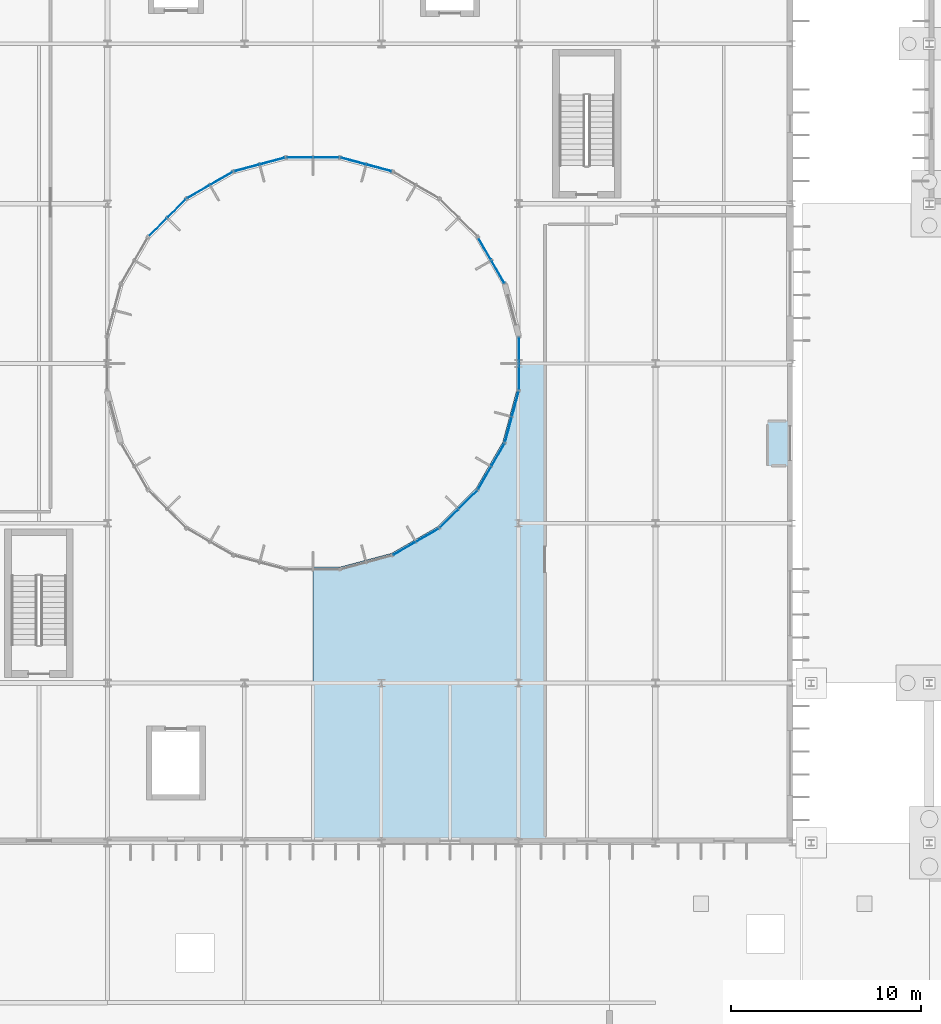
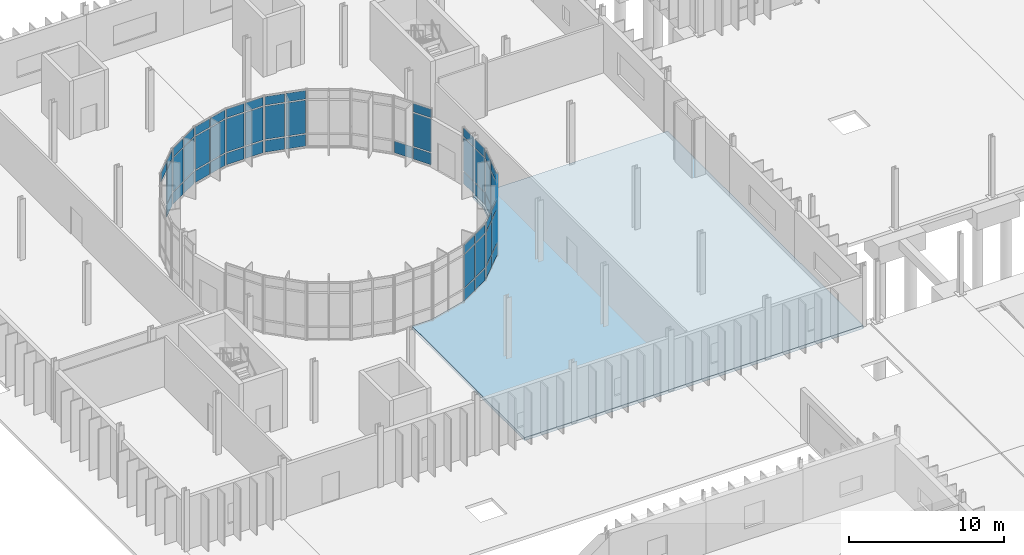
# One storey, part 60 of 118: 62 plates, 1 slab, 11 elements without a shape of their own.
"""IFC4 building model written with IfcOpenShell, lengths in metres."""

from ifc_helpers import new_model, si_unit, direction, frame, origin, origin_2d, place, context, subcontext, project, spatial, polyline, rectangle, outline, extrude, material, layer, layer_set, type_object, element, aggregate, save


model = new_model("IFC4")

# Units and contexts
model_context = context("Model", 3, precision=1e-05, world=origin(), true_north=direction((0.0, 1.0)))
body_context = subcontext(model_context, "Body", "Model", "MODEL_VIEW")
ifc_project = project(units=[si_unit("LENGTHUNIT", "METRE"), si_unit("AREAUNIT", "SQUARE_METRE"), si_unit("VOLUMEUNIT", "CUBIC_METRE"), si_unit("PLANEANGLEUNIT", "RADIAN"), si_unit("MASSUNIT", "GRAM", prefix="KILO")], contexts=[model_context])

# Site, building, storey
site_placement = place(None, origin())
site = spatial("IfcSite", under=ifc_project, at=site_placement, CompositionType="ELEMENT")
building_placement = place(site_placement, origin())
building = spatial("IfcBuilding", under=site, at=building_placement, Name="Qelthora Terrace Specialist Clinic", CompositionType="ELEMENT")
storey_placement = place(building_placement, origin())
storey = spatial("IfcBuildingStorey", under=building, at=storey_placement, Name="L00", CompositionType="ELEMENT", Elevation=0.0)

# Curtain wall, plates
ifc_material_1 = material(Name="Aluminium anodized bronze", Category="aluminium")
curtain_wall_type = type_object("IfcCurtainWallType", Name="CW-CRTW-L00", PredefinedType="NOTDEFINED", material=ifc_material_1)
curtain_wall_1_placement = place(storey_placement, origin())
curtain_wall_1 = element("IfcCurtainWall", 1, at=curtain_wall_1_placement, inside=storey, type_object=curtain_wall_type, Name="Curtain wall CW-CW-L00-02", PredefinedType="NOTDEFINED")
ifc_material_2 = material(Name="Low-E triple-silver insulating glass", Category="glass")
ifc_layer_1 = layer(ifc_material_2, 0.035888671875)
ifc_layer_set_1 = layer_set([ifc_layer_1], Name="Low-E triple-silver insulating glass")
plate_type = type_object("IfcPlateType", Name="CWP-IGU-36", PredefinedType="CURTAIN_PANEL", material=ifc_layer_set_1)
plate_1_placement = place(storey_placement, frame((34.929443359375, 88.803466796875, 0.0849609375), z_axis=(0.0, 0.0, 1.0), x_axis=(-0.5, 0.866025403784, 0.0)))
plate_1 = element("IfcPlate", 2, at=plate_1_placement, type_object=plate_type, Name="CW-CW-L00-02 glazed panel 1", PredefinedType="CURTAIN_PANEL", context=body_context, shape_type="SweptSolid", body=[
    extrude(rectangle(XDim=1.3095703125, YDim=0.035888671875, at=origin_2d()), origin(), (0.0, 0.0, 1.0), 0.919921875),
])
plate_2_placement = place(storey_placement, frame((34.929443359375, 88.803466796875, 1.094970703125), z_axis=(0.0, 0.0, 1.0), x_axis=(-0.5, 0.866025403784, 0.0)))
plate_2 = element("IfcPlate", 3, at=plate_2_placement, type_object=plate_type, Name="CW-CW-L00-02 glazed panel 2", PredefinedType="CURTAIN_PANEL", context=body_context, shape_type="SweptSolid", body=[
    extrude(rectangle(XDim=1.3095703125, YDim=0.035888671875, at=origin_2d()), origin(), (0.0, 0.0, 1.0), 2.60498046875),
])
plate_3_placement = place(storey_placement, frame((34.929443359375, 88.803466796875, 3.7900390625), z_axis=(0.0, 0.0, 1.0), x_axis=(-0.5, 0.866025403784, 0.0)))
plate_3 = element("IfcPlate", 4, at=plate_3_placement, type_object=plate_type, Name="CW-CW-L00-02 glazed panel 3", PredefinedType="CURTAIN_PANEL", context=body_context, shape_type="SweptSolid", body=[
    extrude(rectangle(XDim=1.3095703125, YDim=0.035888671875, at=origin_2d()), origin(), (0.0, 0.0, 1.0), 0.669921875),
])
plate_4_placement = place(storey_placement, frame((34.224609375, 90.024169921875, 0.0849609375), z_axis=(0.0, 0.0, 1.0), x_axis=(-0.5, 0.866025403784, 0.0)))
plate_4 = element("IfcPlate", 5, at=plate_4_placement, type_object=plate_type, Name="CW-CW-L00-02 glazed panel 4", PredefinedType="CURTAIN_PANEL", context=body_context, shape_type="SweptSolid", body=[
    extrude(rectangle(XDim=1.3095703125, YDim=0.035888671875, at=origin_2d()), origin(), (0.0, 0.0, 1.0), 0.919921875),
])
aggregate(curtain_wall_1, [plate_1, plate_2, plate_3, plate_4])

curtain_wall_2_placement = place(storey_placement, origin())
curtain_wall_2 = element("IfcCurtainWall", 6, at=curtain_wall_2_placement, inside=storey, type_object=curtain_wall_type, Name="Curtain wall CW-CW-L00-05", PredefinedType="NOTDEFINED")
plate_5_placement = place(storey_placement, frame((28.68310546875, 94.276123046875, 0.0849609375), z_axis=(0.0, 0.0, 1.0), x_axis=(-0.965925374563, 0.258820730961, 0.0)))
plate_5 = element("IfcPlate", 7, at=plate_5_placement, type_object=plate_type, Name="CW-CW-L00-05 glazed panel 1", PredefinedType="CURTAIN_PANEL", context=body_context, shape_type="SweptSolid", body=[
    extrude(rectangle(XDim=1.3095703125, YDim=0.035888671875, at=origin_2d()), origin(), (0.0, 0.0, 1.0), 0.919921875),
])
plate_6_placement = place(storey_placement, frame((28.68310546875, 94.276123046875, 1.094970703125), z_axis=(0.0, 0.0, 1.0), x_axis=(-0.965925374563, 0.258820730961, 0.0)))
plate_6 = element("IfcPlate", 8, at=plate_6_placement, type_object=plate_type, Name="CW-CW-L00-05 glazed panel 2", PredefinedType="CURTAIN_PANEL", context=body_context, shape_type="SweptSolid", body=[
    extrude(rectangle(XDim=1.3095703125, YDim=0.035888671875, at=origin_2d()), origin(), (0.0, 0.0, 1.0), 2.60498046875),
])
plate_7_placement = place(storey_placement, frame((28.68310546875, 94.276123046875, 3.7900390625), z_axis=(0.0, 0.0, 1.0), x_axis=(-0.965925374563, 0.258820730961, 0.0)))
plate_7 = element("IfcPlate", 9, at=plate_7_placement, type_object=plate_type, Name="CW-CW-L00-05 glazed panel 3", PredefinedType="CURTAIN_PANEL", context=body_context, shape_type="SweptSolid", body=[
    extrude(rectangle(XDim=1.3095703125, YDim=0.035888671875, at=origin_2d()), origin(), (0.0, 0.0, 1.0), 0.669921875),
])
plate_8_placement = place(storey_placement, frame((27.321533203125, 94.64111328125, 0.0849609375), z_axis=(0.0, 0.0, 1.0), x_axis=(-0.965925374563, 0.258820730961, 0.0)))
plate_8 = element("IfcPlate", 10, at=plate_8_placement, type_object=plate_type, Name="CW-CW-L00-05 glazed panel 4", PredefinedType="CURTAIN_PANEL", context=body_context, shape_type="SweptSolid", body=[
    extrude(rectangle(XDim=1.3095703125, YDim=0.035888671875, at=origin_2d()), origin(), (0.0, 0.0, 1.0), 0.919921875),
])
plate_9_placement = place(storey_placement, frame((27.321533203125, 94.64111328125, 1.094970703125), z_axis=(0.0, 0.0, 1.0), x_axis=(-0.965925374563, 0.258820730961, 0.0)))
plate_9 = element("IfcPlate", 11, at=plate_9_placement, type_object=plate_type, Name="CW-CW-L00-05 glazed panel 5", PredefinedType="CURTAIN_PANEL", context=body_context, shape_type="SweptSolid", body=[
    extrude(rectangle(XDim=1.3095703125, YDim=0.035888671875, at=origin_2d()), origin(), (0.0, 0.0, 1.0), 2.60498046875),
])
plate_10_placement = place(storey_placement, frame((27.321533203125, 94.64111328125, 3.7900390625), z_axis=(0.0, 0.0, 1.0), x_axis=(-0.965925374563, 0.258820730961, 0.0)))
plate_10 = element("IfcPlate", 12, at=plate_10_placement, type_object=plate_type, Name="CW-CW-L00-05 glazed panel 6", PredefinedType="CURTAIN_PANEL", context=body_context, shape_type="SweptSolid", body=[
    extrude(rectangle(XDim=1.3095703125, YDim=0.035888671875, at=origin_2d()), origin(), (0.0, 0.0, 1.0), 0.669921875),
])
aggregate(curtain_wall_2, [plate_5, plate_6, plate_7, plate_8, plate_9, plate_10])

curtain_wall_3_placement = place(storey_placement, origin())
curtain_wall_3 = element("IfcCurtainWall", 13, at=curtain_wall_3_placement, inside=storey, type_object=curtain_wall_type, Name="Curtain wall CW-CW-L00-06", PredefinedType="NOTDEFINED")
plate_11_placement = place(storey_placement, frame((25.90478515625, 94.82763671875, 0.0849609375), z_axis=(0.0, 0.0, 1.0), x_axis=(-1.0, 0.0, 0.0)))
plate_11 = element("IfcPlate", 14, at=plate_11_placement, type_object=plate_type, Name="CW-CW-L00-06 glazed panel 1", PredefinedType="CURTAIN_PANEL", context=body_context, shape_type="SweptSolid", body=[
    extrude(rectangle(XDim=1.3095703125, YDim=0.035888671875, at=origin_2d()), origin(), (0.0, 0.0, 1.0), 0.919921875),
])
plate_12_placement = place(storey_placement, frame((25.90478515625, 94.82763671875, 1.094970703125), z_axis=(0.0, 0.0, 1.0), x_axis=(-1.0, 0.0, 0.0)))
plate_12 = element("IfcPlate", 15, at=plate_12_placement, type_object=plate_type, Name="CW-CW-L00-06 glazed panel 2", PredefinedType="CURTAIN_PANEL", context=body_context, shape_type="SweptSolid", body=[
    extrude(rectangle(XDim=1.3095703125, YDim=0.035888671875, at=origin_2d()), origin(), (0.0, 0.0, 1.0), 2.60498046875),
])
plate_13_placement = place(storey_placement, frame((25.90478515625, 94.82763671875, 3.7900390625), z_axis=(0.0, 0.0, 1.0), x_axis=(-1.0, 0.0, 0.0)))
plate_13 = element("IfcPlate", 16, at=plate_13_placement, type_object=plate_type, Name="CW-CW-L00-06 glazed panel 3", PredefinedType="CURTAIN_PANEL", context=body_context, shape_type="SweptSolid", body=[
    extrude(rectangle(XDim=1.3095703125, YDim=0.035888671875, at=origin_2d()), origin(), (0.0, 0.0, 1.0), 0.669921875),
])
plate_14_placement = place(storey_placement, frame((24.4951171875, 94.82763671875, 0.0849609375), z_axis=(0.0, 0.0, 1.0), x_axis=(-1.0, 0.0, 0.0)))
plate_14 = element("IfcPlate", 17, at=plate_14_placement, type_object=plate_type, Name="CW-CW-L00-06 glazed panel 4", PredefinedType="CURTAIN_PANEL", context=body_context, shape_type="SweptSolid", body=[
    extrude(rectangle(XDim=1.3095703125, YDim=0.035888671875, at=origin_2d()), origin(), (0.0, 0.0, 1.0), 0.919921875),
])
plate_15_placement = place(storey_placement, frame((24.4951171875, 94.82763671875, 1.094970703125), z_axis=(0.0, 0.0, 1.0), x_axis=(-1.0, 0.0, 0.0)))
plate_15 = element("IfcPlate", 18, at=plate_15_placement, type_object=plate_type, Name="CW-CW-L00-06 glazed panel 5", PredefinedType="CURTAIN_PANEL", context=body_context, shape_type="SweptSolid", body=[
    extrude(rectangle(XDim=1.3095703125, YDim=0.035888671875, at=origin_2d()), origin(), (0.0, 0.0, 1.0), 2.60498046875),
])
plate_16_placement = place(storey_placement, frame((24.4951171875, 94.82763671875, 3.7900390625), z_axis=(0.0, 0.0, 1.0), x_axis=(-1.0, 0.0, 0.0)))
plate_16 = element("IfcPlate", 19, at=plate_16_placement, type_object=plate_type, Name="CW-CW-L00-06 glazed panel 6", PredefinedType="CURTAIN_PANEL", context=body_context, shape_type="SweptSolid", body=[
    extrude(rectangle(XDim=1.3095703125, YDim=0.035888671875, at=origin_2d()), origin(), (0.0, 0.0, 1.0), 0.669921875),
])
aggregate(curtain_wall_3, [plate_11, plate_12, plate_13, plate_14, plate_15, plate_16])

curtain_wall_4_placement = place(storey_placement, origin())
curtain_wall_4 = element("IfcCurtainWall", 20, at=curtain_wall_4_placement, inside=storey, type_object=curtain_wall_type, Name="Curtain wall CW-CW-L00-07", PredefinedType="NOTDEFINED")
plate_17_placement = place(storey_placement, frame((23.078369140625, 94.64111328125, 0.0849609375), z_axis=(0.0, 0.0, 1.0), x_axis=(-0.965925374563, -0.258820730961, 0.0)))
plate_17 = element("IfcPlate", 21, at=plate_17_placement, type_object=plate_type, Name="CW-CW-L00-07 glazed panel 1", PredefinedType="CURTAIN_PANEL", context=body_context, shape_type="SweptSolid", body=[
    extrude(rectangle(XDim=1.3095703125, YDim=0.035888671875, at=origin_2d()), origin(), (0.0, 0.0, 1.0), 0.919921875),
])
plate_18_placement = place(storey_placement, frame((23.078369140625, 94.64111328125, 1.094970703125), z_axis=(0.0, 0.0, 1.0), x_axis=(-0.965925374563, -0.258820730961, 0.0)))
plate_18 = element("IfcPlate", 22, at=plate_18_placement, type_object=plate_type, Name="CW-CW-L00-07 glazed panel 2", PredefinedType="CURTAIN_PANEL", context=body_context, shape_type="SweptSolid", body=[
    extrude(rectangle(XDim=1.3095703125, YDim=0.035888671875, at=origin_2d()), origin(), (0.0, 0.0, 1.0), 2.60498046875),
])
plate_19_placement = place(storey_placement, frame((23.078369140625, 94.64111328125, 3.7900390625), z_axis=(0.0, 0.0, 1.0), x_axis=(-0.965925374563, -0.258820730961, 0.0)))
plate_19 = element("IfcPlate", 23, at=plate_19_placement, type_object=plate_type, Name="CW-CW-L00-07 glazed panel 3", PredefinedType="CURTAIN_PANEL", context=body_context, shape_type="SweptSolid", body=[
    extrude(rectangle(XDim=1.3095703125, YDim=0.035888671875, at=origin_2d()), origin(), (0.0, 0.0, 1.0), 0.669921875),
])
plate_20_placement = place(storey_placement, frame((21.716796875, 94.276123046875, 0.0849609375), z_axis=(0.0, 0.0, 1.0), x_axis=(-0.965925374563, -0.258820730961, 0.0)))
plate_20 = element("IfcPlate", 24, at=plate_20_placement, type_object=plate_type, Name="CW-CW-L00-07 glazed panel 4", PredefinedType="CURTAIN_PANEL", context=body_context, shape_type="SweptSolid", body=[
    extrude(rectangle(XDim=1.3095703125, YDim=0.035888671875, at=origin_2d()), origin(), (0.0, 0.0, 1.0), 0.919921875),
])
plate_21_placement = place(storey_placement, frame((21.716796875, 94.276123046875, 1.094970703125), z_axis=(0.0, 0.0, 1.0), x_axis=(-0.965925374563, -0.258820730961, 0.0)))
plate_21 = element("IfcPlate", 25, at=plate_21_placement, type_object=plate_type, Name="CW-CW-L00-07 glazed panel 5", PredefinedType="CURTAIN_PANEL", context=body_context, shape_type="SweptSolid", body=[
    extrude(rectangle(XDim=1.3095703125, YDim=0.035888671875, at=origin_2d()), origin(), (0.0, 0.0, 1.0), 2.60498046875),
])
plate_22_placement = place(storey_placement, frame((21.716796875, 94.276123046875, 3.7900390625), z_axis=(0.0, 0.0, 1.0), x_axis=(-0.965925374563, -0.258820730961, 0.0)))
plate_22 = element("IfcPlate", 26, at=plate_22_placement, type_object=plate_type, Name="CW-CW-L00-07 glazed panel 6", PredefinedType="CURTAIN_PANEL", context=body_context, shape_type="SweptSolid", body=[
    extrude(rectangle(XDim=1.3095703125, YDim=0.035888671875, at=origin_2d()), origin(), (0.0, 0.0, 1.0), 0.669921875),
])
aggregate(curtain_wall_4, [plate_17, plate_18, plate_19, plate_20, plate_21, plate_22])

curtain_wall_5_placement = place(storey_placement, origin())
curtain_wall_5 = element("IfcCurtainWall", 27, at=curtain_wall_5_placement, inside=storey, type_object=curtain_wall_type, Name="Curtain wall CW-CW-L00-08", PredefinedType="NOTDEFINED")
plate_23_placement = place(storey_placement, frame((20.396728515625, 93.7294921875, 0.0849609375), z_axis=(0.0, 0.0, 1.0), x_axis=(-0.866025403784, -0.5, 0.0)))
plate_23 = element("IfcPlate", 28, at=plate_23_placement, type_object=plate_type, Name="CW-CW-L00-08 glazed panel 1", PredefinedType="CURTAIN_PANEL", context=body_context, shape_type="SweptSolid", body=[
    extrude(rectangle(XDim=1.3095703125, YDim=0.035888671875, at=origin_2d()), origin(), (0.0, 0.0, 1.0), 0.919921875),
])
plate_24_placement = place(storey_placement, frame((20.396728515625, 93.7294921875, 1.094970703125), z_axis=(0.0, 0.0, 1.0), x_axis=(-0.866025403784, -0.5, 0.0)))
plate_24 = element("IfcPlate", 29, at=plate_24_placement, type_object=plate_type, Name="CW-CW-L00-08 glazed panel 2", PredefinedType="CURTAIN_PANEL", context=body_context, shape_type="SweptSolid", body=[
    extrude(rectangle(XDim=1.3095703125, YDim=0.035888671875, at=origin_2d()), origin(), (0.0, 0.0, 1.0), 2.60498046875),
])
plate_25_placement = place(storey_placement, frame((20.396728515625, 93.7294921875, 3.7900390625), z_axis=(0.0, 0.0, 1.0), x_axis=(-0.866025403784, -0.5, 0.0)))
plate_25 = element("IfcPlate", 30, at=plate_25_placement, type_object=plate_type, Name="CW-CW-L00-08 glazed panel 3", PredefinedType="CURTAIN_PANEL", context=body_context, shape_type="SweptSolid", body=[
    extrude(rectangle(XDim=1.3095703125, YDim=0.035888671875, at=origin_2d()), origin(), (0.0, 0.0, 1.0), 0.669921875),
])
plate_26_placement = place(storey_placement, frame((19.17578125, 93.024658203125, 0.0849609375), z_axis=(0.0, 0.0, 1.0), x_axis=(-0.866025403784, -0.5, 0.0)))
plate_26 = element("IfcPlate", 31, at=plate_26_placement, type_object=plate_type, Name="CW-CW-L00-08 glazed panel 4", PredefinedType="CURTAIN_PANEL", context=body_context, shape_type="SweptSolid", body=[
    extrude(rectangle(XDim=1.3095703125, YDim=0.035888671875, at=origin_2d()), origin(), (0.0, 0.0, 1.0), 0.919921875),
])
plate_27_placement = place(storey_placement, frame((19.17578125, 93.024658203125, 1.094970703125), z_axis=(0.0, 0.0, 1.0), x_axis=(-0.866025403784, -0.5, 0.0)))
plate_27 = element("IfcPlate", 32, at=plate_27_placement, type_object=plate_type, Name="CW-CW-L00-08 glazed panel 5", PredefinedType="CURTAIN_PANEL", context=body_context, shape_type="SweptSolid", body=[
    extrude(rectangle(XDim=1.3095703125, YDim=0.035888671875, at=origin_2d()), origin(), (0.0, 0.0, 1.0), 2.60498046875),
])
plate_28_placement = place(storey_placement, frame((19.17578125, 93.024658203125, 3.7900390625), z_axis=(0.0, 0.0, 1.0), x_axis=(-0.866025403784, -0.5, 0.0)))
plate_28 = element("IfcPlate", 33, at=plate_28_placement, type_object=plate_type, Name="CW-CW-L00-08 glazed panel 6", PredefinedType="CURTAIN_PANEL", context=body_context, shape_type="SweptSolid", body=[
    extrude(rectangle(XDim=1.3095703125, YDim=0.035888671875, at=origin_2d()), origin(), (0.0, 0.0, 1.0), 0.669921875),
])
aggregate(curtain_wall_5, [plate_23, plate_24, plate_25, plate_26, plate_27, plate_28])

curtain_wall_6_placement = place(storey_placement, origin())
curtain_wall_6 = element("IfcCurtainWall", 34, at=curtain_wall_6_placement, inside=storey, type_object=curtain_wall_type, Name="Curtain wall CW-CW-L00-09", PredefinedType="NOTDEFINED")
plate_29_placement = place(storey_placement, frame((18.042236328125, 92.15478515625, 0.0849609375), z_axis=(0.0, 0.0, 1.0), x_axis=(-0.707106781187, -0.707106781187, 0.0)))
plate_29 = element("IfcPlate", 35, at=plate_29_placement, type_object=plate_type, Name="CW-CW-L00-09 glazed panel 1", PredefinedType="CURTAIN_PANEL", context=body_context, shape_type="SweptSolid", body=[
    extrude(rectangle(XDim=1.3095703125, YDim=0.035888671875, at=origin_2d()), origin(), (0.0, 0.0, 1.0), 0.919921875),
])
plate_30_placement = place(storey_placement, frame((18.042236328125, 92.15478515625, 1.094970703125), z_axis=(0.0, 0.0, 1.0), x_axis=(-0.707106781187, -0.707106781187, 0.0)))
plate_30 = element("IfcPlate", 36, at=plate_30_placement, type_object=plate_type, Name="CW-CW-L00-09 glazed panel 2", PredefinedType="CURTAIN_PANEL", context=body_context, shape_type="SweptSolid", body=[
    extrude(rectangle(XDim=1.3095703125, YDim=0.035888671875, at=origin_2d()), origin(), (0.0, 0.0, 1.0), 2.60498046875),
])
plate_31_placement = place(storey_placement, frame((18.042236328125, 92.15478515625, 3.7900390625), z_axis=(0.0, 0.0, 1.0), x_axis=(-0.707106781187, -0.707106781187, 0.0)))
plate_31 = element("IfcPlate", 37, at=plate_31_placement, type_object=plate_type, Name="CW-CW-L00-09 glazed panel 3", PredefinedType="CURTAIN_PANEL", context=body_context, shape_type="SweptSolid", body=[
    extrude(rectangle(XDim=1.3095703125, YDim=0.035888671875, at=origin_2d()), origin(), (0.0, 0.0, 1.0), 0.669921875),
])
plate_32_placement = place(storey_placement, frame((17.04541015625, 91.157958984375, 3.7900390625), z_axis=(0.0, 0.0, 1.0), x_axis=(-0.707106781187, -0.707106781187, 0.0)))
plate_32 = element("IfcPlate", 38, at=plate_32_placement, type_object=plate_type, Name="CW-CW-L00-09 glazed panel 6", PredefinedType="CURTAIN_PANEL", context=body_context, shape_type="SweptSolid", body=[
    extrude(rectangle(XDim=1.3095703125, YDim=0.035888671875, at=origin_2d()), origin(), (0.0, 0.0, 1.0), 0.669921875),
])
aggregate(curtain_wall_6, [plate_29, plate_30, plate_31, plate_32])

curtain_wall_7_placement = place(storey_placement, origin())
curtain_wall_7 = element("IfcCurtainWall", 39, at=curtain_wall_7_placement, inside=storey, type_object=curtain_wall_type, Name="Curtain wall CW-CW-L00-20", PredefinedType="NOTDEFINED")
plate_33_placement = place(storey_placement, frame((30.00341796875, 74.2705078125, 0.0849609375), z_axis=(0.0, 0.0, 1.0), x_axis=(0.866025403784, 0.5, 0.0)))
plate_33 = element("IfcPlate", 40, at=plate_33_placement, type_object=plate_type, Name="CW-CW-L00-20 glazed panel 1", PredefinedType="CURTAIN_PANEL", context=body_context, shape_type="SweptSolid", body=[
    extrude(rectangle(XDim=1.3095703125, YDim=0.035888671875, at=origin_2d()), origin(), (0.0, 0.0, 1.0), 0.919921875),
])
plate_34_placement = place(storey_placement, frame((30.00341796875, 74.2705078125, 1.094970703125), z_axis=(0.0, 0.0, 1.0), x_axis=(0.866025403784, 0.5, 0.0)))
plate_34 = element("IfcPlate", 41, at=plate_34_placement, type_object=plate_type, Name="CW-CW-L00-20 glazed panel 2", PredefinedType="CURTAIN_PANEL", context=body_context, shape_type="SweptSolid", body=[
    extrude(rectangle(XDim=1.3095703125, YDim=0.035888671875, at=origin_2d()), origin(), (0.0, 0.0, 1.0), 2.60498046875),
])
plate_35_placement = place(storey_placement, frame((30.00341796875, 74.2705078125, 3.7900390625), z_axis=(0.0, 0.0, 1.0), x_axis=(0.866025403784, 0.5, 0.0)))
plate_35 = element("IfcPlate", 42, at=plate_35_placement, type_object=plate_type, Name="CW-CW-L00-20 glazed panel 3", PredefinedType="CURTAIN_PANEL", context=body_context, shape_type="SweptSolid", body=[
    extrude(rectangle(XDim=1.3095703125, YDim=0.035888671875, at=origin_2d()), origin(), (0.0, 0.0, 1.0), 0.669921875),
])
plate_36_placement = place(storey_placement, frame((31.22412109375, 74.975341796875, 0.0849609375), z_axis=(0.0, 0.0, 1.0), x_axis=(0.866025403784, 0.5, 0.0)))
plate_36 = element("IfcPlate", 43, at=plate_36_placement, type_object=plate_type, Name="CW-CW-L00-20 glazed panel 4", PredefinedType="CURTAIN_PANEL", context=body_context, shape_type="SweptSolid", body=[
    extrude(rectangle(XDim=1.3095703125, YDim=0.035888671875, at=origin_2d()), origin(), (0.0, 0.0, 1.0), 0.919921875),
])
plate_37_placement = place(storey_placement, frame((31.22412109375, 74.975341796875, 1.094970703125), z_axis=(0.0, 0.0, 1.0), x_axis=(0.866025403784, 0.5, 0.0)))
plate_37 = element("IfcPlate", 44, at=plate_37_placement, type_object=plate_type, Name="CW-CW-L00-20 glazed panel 5", PredefinedType="CURTAIN_PANEL", context=body_context, shape_type="SweptSolid", body=[
    extrude(rectangle(XDim=1.3095703125, YDim=0.035888671875, at=origin_2d()), origin(), (0.0, 0.0, 1.0), 2.60498046875),
])
plate_38_placement = place(storey_placement, frame((31.22412109375, 74.975341796875, 3.7900390625), z_axis=(0.0, 0.0, 1.0), x_axis=(0.866025403784, 0.5, 0.0)))
plate_38 = element("IfcPlate", 45, at=plate_38_placement, type_object=plate_type, Name="CW-CW-L00-20 glazed panel 6", PredefinedType="CURTAIN_PANEL", context=body_context, shape_type="SweptSolid", body=[
    extrude(rectangle(XDim=1.3095703125, YDim=0.035888671875, at=origin_2d()), origin(), (0.0, 0.0, 1.0), 0.669921875),
])
aggregate(curtain_wall_7, [plate_33, plate_34, plate_35, plate_36, plate_37, plate_38])

curtain_wall_8_placement = place(storey_placement, origin())
curtain_wall_8 = element("IfcCurtainWall", 46, at=curtain_wall_8_placement, inside=storey, type_object=curtain_wall_type, Name="Curtain wall CW-CW-L00-21", PredefinedType="NOTDEFINED")
plate_39_placement = place(storey_placement, frame((32.35791015625, 75.84521484375, 0.0849609375), z_axis=(0.0, 0.0, 1.0), x_axis=(0.707106781187, 0.707106781187, 0.0)))
plate_39 = element("IfcPlate", 47, at=plate_39_placement, type_object=plate_type, Name="CW-CW-L00-21 glazed panel 1", PredefinedType="CURTAIN_PANEL", context=body_context, shape_type="SweptSolid", body=[
    extrude(rectangle(XDim=1.3095703125, YDim=0.035888671875, at=origin_2d()), origin(), (0.0, 0.0, 1.0), 0.919921875),
])
plate_40_placement = place(storey_placement, frame((32.35791015625, 75.84521484375, 1.094970703125), z_axis=(0.0, 0.0, 1.0), x_axis=(0.707106781187, 0.707106781187, 0.0)))
plate_40 = element("IfcPlate", 48, at=plate_40_placement, type_object=plate_type, Name="CW-CW-L00-21 glazed panel 2", PredefinedType="CURTAIN_PANEL", context=body_context, shape_type="SweptSolid", body=[
    extrude(rectangle(XDim=1.3095703125, YDim=0.035888671875, at=origin_2d()), origin(), (0.0, 0.0, 1.0), 2.60498046875),
])
plate_41_placement = place(storey_placement, frame((32.35791015625, 75.84521484375, 3.7900390625), z_axis=(0.0, 0.0, 1.0), x_axis=(0.707106781187, 0.707106781187, 0.0)))
plate_41 = element("IfcPlate", 49, at=plate_41_placement, type_object=plate_type, Name="CW-CW-L00-21 glazed panel 3", PredefinedType="CURTAIN_PANEL", context=body_context, shape_type="SweptSolid", body=[
    extrude(rectangle(XDim=1.3095703125, YDim=0.035888671875, at=origin_2d()), origin(), (0.0, 0.0, 1.0), 0.669921875),
])
plate_42_placement = place(storey_placement, frame((33.354736328125, 76.842041015625, 0.0849609375), z_axis=(0.0, 0.0, 1.0), x_axis=(0.707106781187, 0.707106781187, 0.0)))
plate_42 = element("IfcPlate", 50, at=plate_42_placement, type_object=plate_type, Name="CW-CW-L00-21 glazed panel 4", PredefinedType="CURTAIN_PANEL", context=body_context, shape_type="SweptSolid", body=[
    extrude(rectangle(XDim=1.3095703125, YDim=0.035888671875, at=origin_2d()), origin(), (0.0, 0.0, 1.0), 0.919921875),
])
plate_43_placement = place(storey_placement, frame((33.354736328125, 76.842041015625, 1.094970703125), z_axis=(0.0, 0.0, 1.0), x_axis=(0.707106781187, 0.707106781187, 0.0)))
plate_43 = element("IfcPlate", 51, at=plate_43_placement, type_object=plate_type, Name="CW-CW-L00-21 glazed panel 5", PredefinedType="CURTAIN_PANEL", context=body_context, shape_type="SweptSolid", body=[
    extrude(rectangle(XDim=1.3095703125, YDim=0.035888671875, at=origin_2d()), origin(), (0.0, 0.0, 1.0), 2.60498046875),
])
plate_44_placement = place(storey_placement, frame((33.354736328125, 76.842041015625, 3.7900390625), z_axis=(0.0, 0.0, 1.0), x_axis=(0.707106781187, 0.707106781187, 0.0)))
plate_44 = element("IfcPlate", 52, at=plate_44_placement, type_object=plate_type, Name="CW-CW-L00-21 glazed panel 6", PredefinedType="CURTAIN_PANEL", context=body_context, shape_type="SweptSolid", body=[
    extrude(rectangle(XDim=1.3095703125, YDim=0.035888671875, at=origin_2d()), origin(), (0.0, 0.0, 1.0), 0.669921875),
])
aggregate(curtain_wall_8, [plate_39, plate_40, plate_41, plate_42, plate_43, plate_44])

curtain_wall_9_placement = place(storey_placement, origin())
curtain_wall_9 = element("IfcCurtainWall", 53, at=curtain_wall_9_placement, inside=storey, type_object=curtain_wall_type, Name="Curtain wall CW-CW-L00-22", PredefinedType="NOTDEFINED")
plate_45_placement = place(storey_placement, frame((34.224609375, 77.975830078125, 0.0849609375), z_axis=(0.0, 0.0, 1.0), x_axis=(0.5, 0.866025403784, 0.0)))
plate_45 = element("IfcPlate", 54, at=plate_45_placement, type_object=plate_type, Name="CW-CW-L00-22 glazed panel 1", PredefinedType="CURTAIN_PANEL", context=body_context, shape_type="SweptSolid", body=[
    extrude(rectangle(XDim=1.3095703125, YDim=0.035888671875, at=origin_2d()), origin(), (0.0, 0.0, 1.0), 0.919921875),
])
plate_46_placement = place(storey_placement, frame((34.224609375, 77.975830078125, 1.094970703125), z_axis=(0.0, 0.0, 1.0), x_axis=(0.5, 0.866025403784, 0.0)))
plate_46 = element("IfcPlate", 55, at=plate_46_placement, type_object=plate_type, Name="CW-CW-L00-22 glazed panel 2", PredefinedType="CURTAIN_PANEL", context=body_context, shape_type="SweptSolid", body=[
    extrude(rectangle(XDim=1.3095703125, YDim=0.035888671875, at=origin_2d()), origin(), (0.0, 0.0, 1.0), 2.60498046875),
])
plate_47_placement = place(storey_placement, frame((34.224609375, 77.975830078125, 3.7900390625), z_axis=(0.0, 0.0, 1.0), x_axis=(0.5, 0.866025403784, 0.0)))
plate_47 = element("IfcPlate", 56, at=plate_47_placement, type_object=plate_type, Name="CW-CW-L00-22 glazed panel 3", PredefinedType="CURTAIN_PANEL", context=body_context, shape_type="SweptSolid", body=[
    extrude(rectangle(XDim=1.3095703125, YDim=0.035888671875, at=origin_2d()), origin(), (0.0, 0.0, 1.0), 0.669921875),
])
plate_48_placement = place(storey_placement, frame((34.929443359375, 79.196533203125, 0.0849609375), z_axis=(0.0, 0.0, 1.0), x_axis=(0.5, 0.866025403784, 0.0)))
plate_48 = element("IfcPlate", 57, at=plate_48_placement, type_object=plate_type, Name="CW-CW-L00-22 glazed panel 4", PredefinedType="CURTAIN_PANEL", context=body_context, shape_type="SweptSolid", body=[
    extrude(rectangle(XDim=1.3095703125, YDim=0.035888671875, at=origin_2d()), origin(), (0.0, 0.0, 1.0), 0.919921875),
])
plate_49_placement = place(storey_placement, frame((34.929443359375, 79.196533203125, 1.094970703125), z_axis=(0.0, 0.0, 1.0), x_axis=(0.5, 0.866025403784, 0.0)))
plate_49 = element("IfcPlate", 58, at=plate_49_placement, type_object=plate_type, Name="CW-CW-L00-22 glazed panel 5", PredefinedType="CURTAIN_PANEL", context=body_context, shape_type="SweptSolid", body=[
    extrude(rectangle(XDim=1.3095703125, YDim=0.035888671875, at=origin_2d()), origin(), (0.0, 0.0, 1.0), 2.60498046875),
])
plate_50_placement = place(storey_placement, frame((34.929443359375, 79.196533203125, 3.7900390625), z_axis=(0.0, 0.0, 1.0), x_axis=(0.5, 0.866025403784, 0.0)))
plate_50 = element("IfcPlate", 59, at=plate_50_placement, type_object=plate_type, Name="CW-CW-L00-22 glazed panel 6", PredefinedType="CURTAIN_PANEL", context=body_context, shape_type="SweptSolid", body=[
    extrude(rectangle(XDim=1.3095703125, YDim=0.035888671875, at=origin_2d()), origin(), (0.0, 0.0, 1.0), 0.669921875),
])
aggregate(curtain_wall_9, [plate_45, plate_46, plate_47, plate_48, plate_49, plate_50])

curtain_wall_10_placement = place(storey_placement, origin())
curtain_wall_10 = element("IfcCurtainWall", 60, at=curtain_wall_10_placement, inside=storey, type_object=curtain_wall_type, Name="Curtain wall CW-CW-L00-23", PredefinedType="NOTDEFINED")
plate_51_placement = place(storey_placement, frame((35.476318359375, 80.516845703125, 0.0849609375), z_axis=(0.0, 0.0, 1.0), x_axis=(0.258820730961, 0.965925374563, 0.0)))
plate_51 = element("IfcPlate", 61, at=plate_51_placement, type_object=plate_type, Name="CW-CW-L00-23 glazed panel 1", PredefinedType="CURTAIN_PANEL", context=body_context, shape_type="SweptSolid", body=[
    extrude(rectangle(XDim=1.3095703125, YDim=0.035888671875, at=origin_2d()), origin(), (0.0, 0.0, 1.0), 0.919921875),
])
plate_52_placement = place(storey_placement, frame((35.476318359375, 80.516845703125, 1.094970703125), z_axis=(0.0, 0.0, 1.0), x_axis=(0.258820730961, 0.965925374563, 0.0)))
plate_52 = element("IfcPlate", 62, at=plate_52_placement, type_object=plate_type, Name="CW-CW-L00-23 glazed panel 2", PredefinedType="CURTAIN_PANEL", context=body_context, shape_type="SweptSolid", body=[
    extrude(rectangle(XDim=1.3095703125, YDim=0.035888671875, at=origin_2d()), origin(), (0.0, 0.0, 1.0), 2.60498046875),
])
plate_53_placement = place(storey_placement, frame((35.476318359375, 80.516845703125, 3.7900390625), z_axis=(0.0, 0.0, 1.0), x_axis=(0.258820730961, 0.965925374563, 0.0)))
plate_53 = element("IfcPlate", 63, at=plate_53_placement, type_object=plate_type, Name="CW-CW-L00-23 glazed panel 3", PredefinedType="CURTAIN_PANEL", context=body_context, shape_type="SweptSolid", body=[
    extrude(rectangle(XDim=1.3095703125, YDim=0.035888671875, at=origin_2d()), origin(), (0.0, 0.0, 1.0), 0.669921875),
])
plate_54_placement = place(storey_placement, frame((35.841064453125, 81.87841796875, 0.0849609375), z_axis=(0.0, 0.0, 1.0), x_axis=(0.258820730961, 0.965925374563, 0.0)))
plate_54 = element("IfcPlate", 64, at=plate_54_placement, type_object=plate_type, Name="CW-CW-L00-23 glazed panel 4", PredefinedType="CURTAIN_PANEL", context=body_context, shape_type="SweptSolid", body=[
    extrude(rectangle(XDim=1.3095703125, YDim=0.035888671875, at=origin_2d()), origin(), (0.0, 0.0, 1.0), 0.919921875),
])
plate_55_placement = place(storey_placement, frame((35.841064453125, 81.87841796875, 1.094970703125), z_axis=(0.0, 0.0, 1.0), x_axis=(0.258820730961, 0.965925374563, 0.0)))
plate_55 = element("IfcPlate", 65, at=plate_55_placement, type_object=plate_type, Name="CW-CW-L00-23 glazed panel 5", PredefinedType="CURTAIN_PANEL", context=body_context, shape_type="SweptSolid", body=[
    extrude(rectangle(XDim=1.3095703125, YDim=0.035888671875, at=origin_2d()), origin(), (0.0, 0.0, 1.0), 2.60498046875),
])
plate_56_placement = place(storey_placement, frame((35.841064453125, 81.87841796875, 3.7900390625), z_axis=(0.0, 0.0, 1.0), x_axis=(0.258820730961, 0.965925374563, 0.0)))
plate_56 = element("IfcPlate", 66, at=plate_56_placement, type_object=plate_type, Name="CW-CW-L00-23 glazed panel 6", PredefinedType="CURTAIN_PANEL", context=body_context, shape_type="SweptSolid", body=[
    extrude(rectangle(XDim=1.3095703125, YDim=0.035888671875, at=origin_2d()), origin(), (0.0, 0.0, 1.0), 0.669921875),
])
aggregate(curtain_wall_10, [plate_51, plate_52, plate_53, plate_54, plate_55, plate_56])

curtain_wall_11_placement = place(storey_placement, origin())
curtain_wall_11 = element("IfcCurtainWall", 67, at=curtain_wall_11_placement, inside=storey, type_object=curtain_wall_type, Name="Curtain wall CW-CW-L00-24", PredefinedType="NOTDEFINED")
plate_57_placement = place(storey_placement, frame((36.027587890625, 83.295166015625, 0.0849609375), z_axis=(0.0, 0.0, 1.0), x_axis=(0.0, 1.0, 0.0)))
plate_57 = element("IfcPlate", 68, at=plate_57_placement, type_object=plate_type, Name="CW-CW-L00-24 glazed panel 1", PredefinedType="CURTAIN_PANEL", context=body_context, shape_type="SweptSolid", body=[
    extrude(rectangle(XDim=1.3095703125, YDim=0.035888671875, at=origin_2d()), origin(), (0.0, 0.0, 1.0), 0.919921875),
])
plate_58_placement = place(storey_placement, frame((36.027587890625, 83.295166015625, 1.094970703125), z_axis=(0.0, 0.0, 1.0), x_axis=(0.0, 1.0, 0.0)))
plate_58 = element("IfcPlate", 69, at=plate_58_placement, type_object=plate_type, Name="CW-CW-L00-24 glazed panel 2", PredefinedType="CURTAIN_PANEL", context=body_context, shape_type="SweptSolid", body=[
    extrude(rectangle(XDim=1.3095703125, YDim=0.035888671875, at=origin_2d()), origin(), (0.0, 0.0, 1.0), 2.60498046875),
])
plate_59_placement = place(storey_placement, frame((36.027587890625, 83.295166015625, 3.7900390625), z_axis=(0.0, 0.0, 1.0), x_axis=(0.0, 1.0, 0.0)))
plate_59 = element("IfcPlate", 70, at=plate_59_placement, type_object=plate_type, Name="CW-CW-L00-24 glazed panel 3", PredefinedType="CURTAIN_PANEL", context=body_context, shape_type="SweptSolid", body=[
    extrude(rectangle(XDim=1.3095703125, YDim=0.035888671875, at=origin_2d()), origin(), (0.0, 0.0, 1.0), 0.669921875),
])
plate_60_placement = place(storey_placement, frame((36.027587890625, 84.704833984375, 0.0849609375), z_axis=(0.0, 0.0, 1.0), x_axis=(0.0, 1.0, 0.0)))
plate_60 = element("IfcPlate", 71, at=plate_60_placement, type_object=plate_type, Name="CW-CW-L00-24 glazed panel 4", PredefinedType="CURTAIN_PANEL", context=body_context, shape_type="SweptSolid", body=[
    extrude(rectangle(XDim=1.3095703125, YDim=0.035888671875, at=origin_2d()), origin(), (0.0, 0.0, 1.0), 0.919921875),
])
plate_61_placement = place(storey_placement, frame((36.027587890625, 84.704833984375, 1.094970703125), z_axis=(0.0, 0.0, 1.0), x_axis=(0.0, 1.0, 0.0)))
plate_61 = element("IfcPlate", 72, at=plate_61_placement, type_object=plate_type, Name="CW-CW-L00-24 glazed panel 5", PredefinedType="CURTAIN_PANEL", context=body_context, shape_type="SweptSolid", body=[
    extrude(rectangle(XDim=1.3095703125, YDim=0.035888671875, at=origin_2d()), origin(), (0.0, 0.0, 1.0), 2.60498046875),
])
plate_62_placement = place(storey_placement, frame((36.027587890625, 84.704833984375, 3.7900390625), z_axis=(0.0, 0.0, 1.0), x_axis=(0.0, 1.0, 0.0)))
plate_62 = element("IfcPlate", 73, at=plate_62_placement, type_object=plate_type, Name="CW-CW-L00-24 glazed panel 6", PredefinedType="CURTAIN_PANEL", context=body_context, shape_type="SweptSolid", body=[
    extrude(rectangle(XDim=1.3095703125, YDim=0.035888671875, at=origin_2d()), origin(), (0.0, 0.0, 1.0), 0.669921875),
])
aggregate(curtain_wall_11, [plate_57, plate_58, plate_59, plate_60, plate_61, plate_62])

# Slab
ifc_material_3 = material(Name="Concrete C30/37", Category="concrete")
ifc_layer_2 = layer(ifc_material_3, 0.239990234375)
ifc_layer_set_2 = layer_set([ifc_layer_2], Name="Concrete C30/37")
slab_type = type_object("IfcSlabType", Name="SLB-IMG-240-C30", PredefinedType="FLOOR", material=ifc_layer_set_2)
slab_placement = place(storey_placement, frame((0.0, 0.0, -0.239990234375)))
element("IfcSlab", 74, at=slab_placement, inside=storey, type_object=slab_type, Name="L00 V5 slab SLB-L00-V5-2A", PredefinedType="FLOOR", context=body_context, shape_type="SweptSolid", body=[
    extrude(outline(polyline([(50.39990234375, 58.800048828125), (25.199951171875, 58.800048828125), (25.199951171875, 73.29248046875), (26.609619140625, 73.29248046875), (29.3330078125, 74.022216796875), (31.774658203125, 75.431884765625), (33.768310546875, 77.42529296875), (35.177978515625, 79.866943359375), (35.90771484375, 82.59033203125), (35.90771484375, 84.0), (50.39990234375, 84.0), (50.39990234375, 58.800048828125)])), origin(), (0.0, 0.0, 1.0), 0.239990234375),
])

save(model, "model.ifc")
